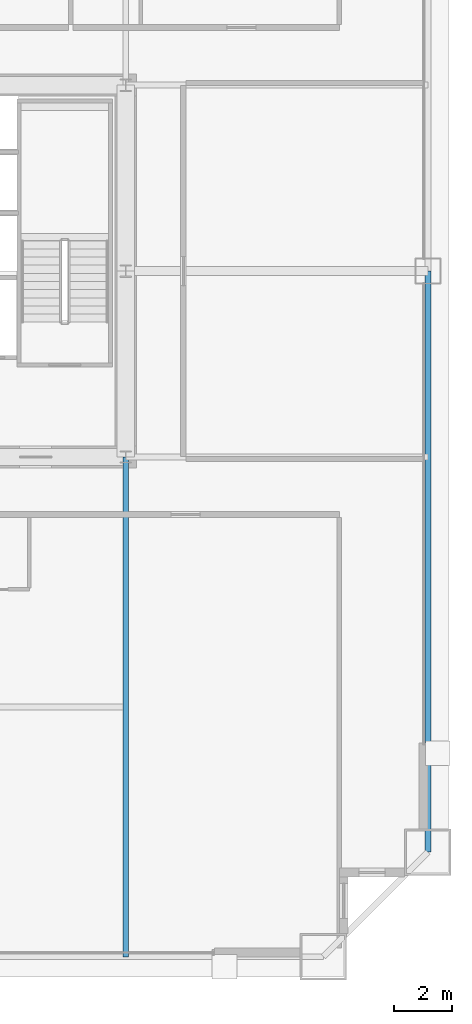
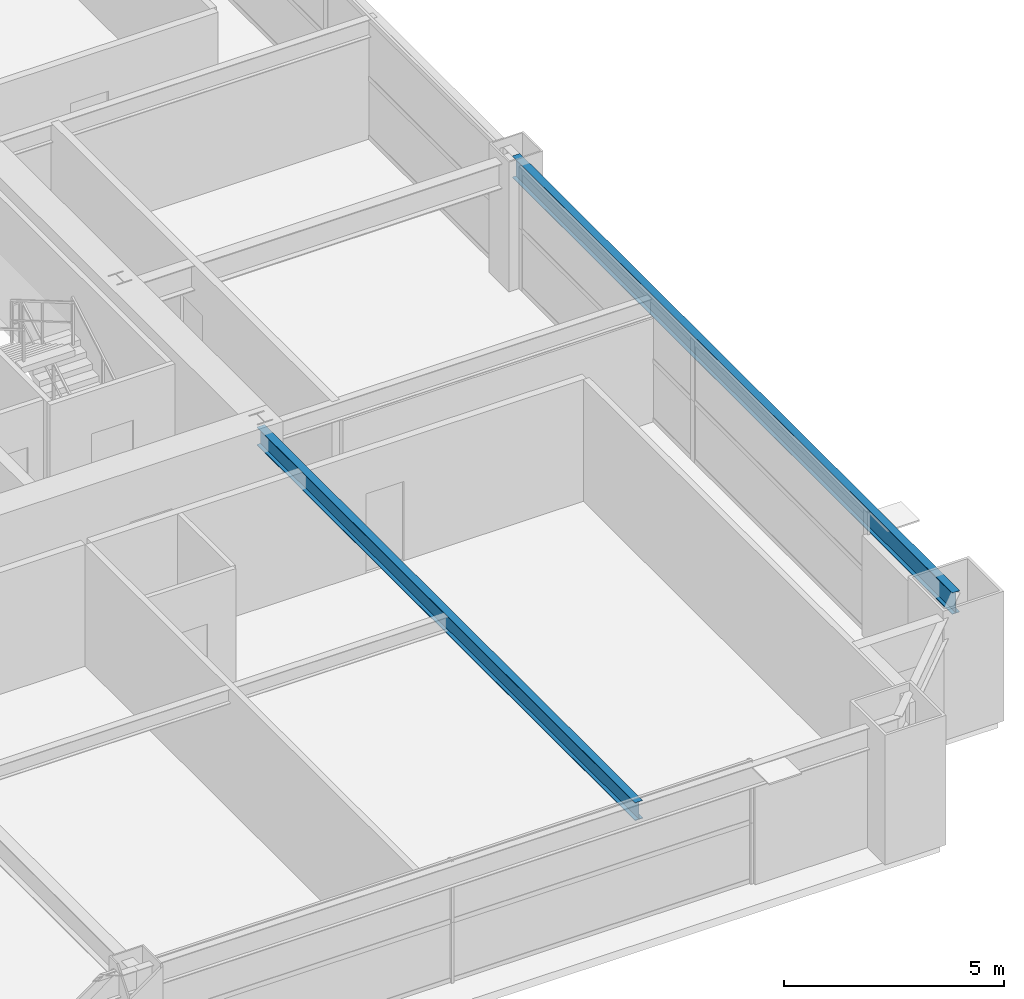
# One storey, part 16 of 37: 2 beams.
"""IFC4 building model written with IfcOpenShell, lengths in metres."""

from ifc_helpers import new_model, si_unit, direction, frame, origin, origin_2d, place, context, subcontext, project, spatial, i_section, extrude, source, transform, mapped, material, material_profile, profile_set, type_object, element, save


model = new_model("IFC4")

# Units and contexts
model_context = context("Model", 3, precision=1e-05, world=origin(), true_north=direction((0.0, 1.0)))
body_context = subcontext(model_context, "Body", "Model", "MODEL_VIEW")
ifc_project = project(units=[si_unit("LENGTHUNIT", "METRE"), si_unit("AREAUNIT", "SQUARE_METRE"), si_unit("VOLUMEUNIT", "CUBIC_METRE"), si_unit("PLANEANGLEUNIT", "RADIAN"), si_unit("MASSUNIT", "GRAM", prefix="KILO"), si_unit("THERMODYNAMICTEMPERATUREUNIT", "KELVIN"), si_unit("POWERUNIT", "WATT")], contexts=[model_context])

# Site, building, storey
site_placement = place(None, origin())
site = spatial("IfcSite", under=ifc_project, at=site_placement, CompositionType="ELEMENT")
building_placement = place(site_placement, origin())
building = spatial("IfcBuilding", under=site, at=building_placement, Name="Yuzanri Waterfront Tower", CompositionType="ELEMENT")
storey_placement = place(building_placement, frame((0.0, 0.0, 104.60009765625)))
storey = spatial("IfcBuildingStorey", under=building, at=storey_placement, Name="L27", CompositionType="ELEMENT", Elevation=104.60009765625)

# Beams
ifc_material_1 = material(Name="Steel Q355B", Category="steel")
ifc_material_profile_1 = material_profile(ifc_material_1, i_section(OverallWidth=0.199951171875, OverallDepth=0.60009765625, WebThickness=0.010986328125, FlangeThickness=0.01708984375, at=origin_2d()), Name="HN 600x200x11x17")
ifc_profile_set_1 = profile_set([ifc_material_profile_1], Name="Steel Q355B")
beam_type_1 = type_object("IfcBeamType", Name="Perimeter Spandrel Q355B HN 600x200", PredefinedType="SPANDREL", material=ifc_profile_set_1)
shared_shape_1 = source(origin(), body_context, "Body", "SweptSolid", [
    extrude(i_section(OverallWidth=0.199951171875, OverallDepth=0.60009765625, WebThickness=0.010986328125, FlangeThickness=0.01708984375, at=origin_2d()), origin(), (0.0, 0.0, 1.0), 20.0),
])
beam_1_placement = place(storey_placement, frame((60.60009765625, 5.800048828125, 3.079833984375), z_axis=(0.0, 1.0, 0.0), x_axis=(-1.0, 0.0, 0.0)))
element("IfcBeam", 1, at=beam_1_placement, inside=storey, type_object=beam_type_1, Name="L27 Perimeter Spandrel E1-E2", PredefinedType="SPANDREL", context=body_context, shape_type="MappedRepresentation", body=[
    mapped(shared_shape_1, transform((0.0, 0.0, 0.0), scale=1.0)),
])
ifc_material_2 = material(Name="Steel Q355B", Category="steel")
ifc_material_profile_2 = material_profile(ifc_material_2, i_section(OverallWidth=0.199951171875, OverallDepth=0.5, WebThickness=0.010009765625, FlangeThickness=0.01611328125, at=origin_2d()), Name="HN 500x200x10x16")
ifc_profile_set_2 = profile_set([ifc_material_profile_2], Name="Steel Q355B")
beam_type_2 = type_object("IfcBeamType", Name="Secondary Floor Beam Q355B HN 500x200", PredefinedType="BEAM", material=ifc_profile_set_2)
shared_shape_2 = source(origin(), body_context, "Body", "SweptSolid", [
    extrude(i_section(OverallWidth=0.199951171875, OverallDepth=0.5, WebThickness=0.010009765625, FlangeThickness=0.01611328125, at=origin_2d()), origin(), (0.0, 0.0, 1.0), 17.199951171875),
])
beam_2_placement = place(storey_placement, frame((50.199951171875, 19.39990234375, 3.1298828125), z_axis=(0.0, -1.0, 0.0), x_axis=(1.0, 0.0, 0.0)))
element("IfcBeam", 2, at=beam_2_placement, inside=storey, type_object=beam_type_2, Name="L27 South-East Core Line Beam", PredefinedType="BEAM", context=body_context, shape_type="MappedRepresentation", body=[
    mapped(shared_shape_2, transform((0.0, 0.0, 0.0), scale=1.0)),
])

save(model, "model.ifc")
